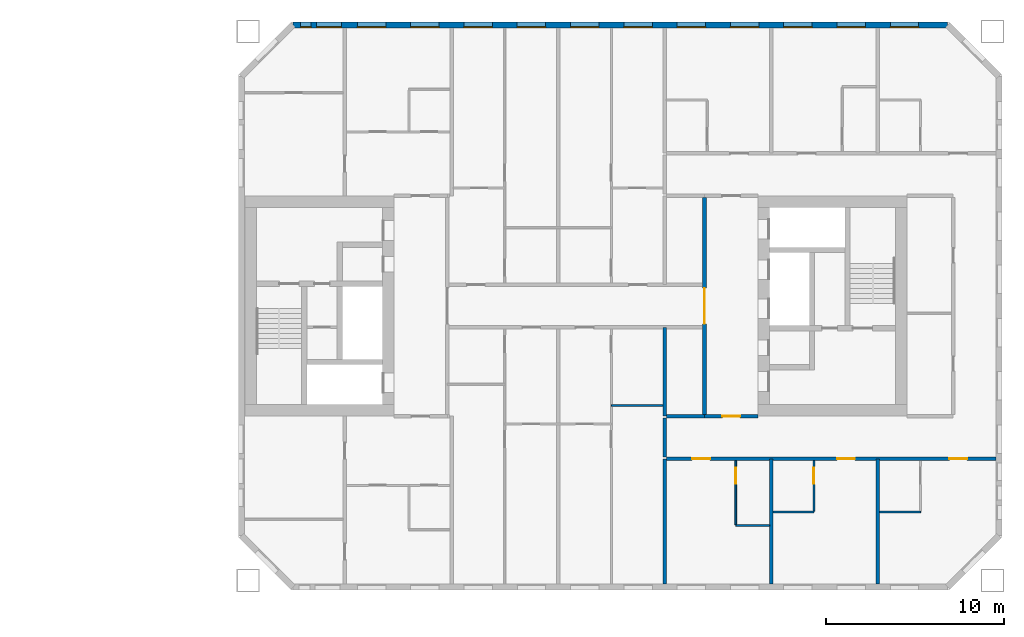
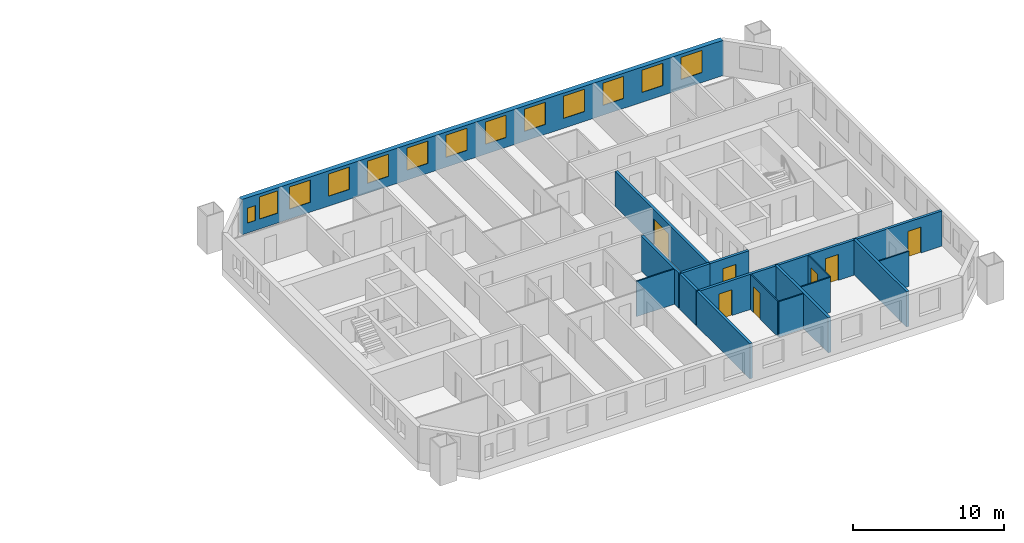
# One storey, part 12 of 16: 16 walls, 13 windows, 7 doors, 20 openings.
"""IFC4 building model written with IfcOpenShell, lengths in metres."""

import ifcopenshell
import ifcopenshell.guid

model = None  # the IFC model being written
_history = None  # IfcOwnerHistory: only IFC2X3 demands one
_inside = {}  # id of a spatial element -> (the spatial element, [elements in it])
_under = {}  # id of a project, library or spatial element -> (it, [spatial elements below it])
_declared = {}  # id of a project -> (the project, [libraries it declares])
_typed = {}  # id of a type object -> (the type object, [elements of that type])
_made_of = {}  # id of a material, layer set ... -> (it, [elements and type objects made of it])


def new_model(schema):
    """Start an empty IFC model of exactly this schema.

    Asked for "IFC4X3", IfcOpenShell would pick the latest addendum, in which some entities
    have other attributes; the version numbers below select the first issue.
    IFC2X3 requires an IfcOwnerHistory on every rooted entity: one is made here for all.
    """
    global model, _history
    if schema == "IFC4X3":
        model = ifcopenshell.file(schema_version=(4, 3, 0, 0))
    else:
        model = ifcopenshell.file(schema=schema)
    _inside.clear()
    _under.clear()
    _declared.clear()
    _typed.clear()
    _made_of.clear()
    _history = None
    if model.schema == "IFC2X3":
        org = make("IfcOrganization", Name="unknown")
        user = make(
            "IfcPersonAndOrganization",
            ThePerson=make("IfcPerson", FamilyName="unknown"),
            TheOrganization=org,
        )
        app = make(
            "IfcApplication",
            ApplicationDeveloper=org,
            Version="unknown",
            ApplicationFullName="unknown",
            ApplicationIdentifier="unknown",
        )
        _history = make(
            "IfcOwnerHistory",
            OwningUser=user,
            OwningApplication=app,
            ChangeAction="ADDED",
            CreationDate=0,
        )
    return model


def make(cls, **values):
    """One entity of the class cls with the attributes given. An attribute that is None is left unset."""
    return model.create_entity(
        cls, **{name: value for name, value in values.items() if value is not None}
    )


def rooted(cls, **values):
    """An entity with a GlobalId (a new one), such as an element, a storey or a relation."""
    return make(cls, GlobalId=ifcopenshell.guid.new(), OwnerHistory=_history, **values)


def si_unit(unit_type, name, prefix=None):
    """IfcSIUnit, for example si_unit("LENGTHUNIT", "METRE", prefix="MILLI")."""
    return make("IfcSIUnit", UnitType=unit_type, Prefix=prefix, Name=name)


def assignment(units):
    """IfcUnitAssignment: the units of a project."""
    return None if units is None else make("IfcUnitAssignment", Units=units)


def point(xyz):
    """IfcCartesianPoint."""
    return None if xyz is None else make("IfcCartesianPoint", Coordinates=xyz)


def direction(xyz):
    """IfcDirection."""
    return None if xyz is None else make("IfcDirection", DirectionRatios=xyz)


def frame(location, z_axis=None, x_axis=None):
    """IfcAxis2Placement3D, a coordinate frame: its origin and axes. An axis left out is left unset."""
    return make(
        "IfcAxis2Placement3D",
        Location=point(location),
        Axis=direction(z_axis),
        RefDirection=direction(x_axis),
    )


def frame_2d(location, x_axis=None):
    """IfcAxis2Placement2D, a coordinate frame in the plane: its origin and x axis."""
    return make(
        "IfcAxis2Placement2D", Location=point(location), RefDirection=direction(x_axis)
    )


def origin():
    """The frame at (0, 0, 0) with its axes left unset."""
    return frame((0.0, 0.0, 0.0))


def place(relative_to, where):
    """IfcLocalPlacement: puts the frame where relative to a parent placement (None: the world)."""
    return make(
        "IfcLocalPlacement", PlacementRelTo=relative_to, RelativePlacement=where
    )


def context(
    kind, dimensions, precision=None, world=None, true_north=None, identifier=None
):
    """IfcGeometricRepresentationContext, for example the 3D "Model" context."""
    return make(
        "IfcGeometricRepresentationContext",
        ContextIdentifier=identifier,
        ContextType=kind,
        CoordinateSpaceDimension=dimensions,
        Precision=precision,
        WorldCoordinateSystem=world,
        TrueNorth=true_north,
    )


def subcontext(parent, identifier, kind, view, scale=None):
    """IfcGeometricRepresentationSubContext, for example "Body" below "Model"."""
    return make(
        "IfcGeometricRepresentationSubContext",
        ContextIdentifier=identifier,
        ContextType=kind,
        ParentContext=parent,
        TargetScale=scale,
        TargetView=view,
    )


def project(units=None, contexts=None):
    """IfcProject with its units and contexts."""
    return rooted(
        "IfcProject",
        Name="project",
        RepresentationContexts=contexts,
        UnitsInContext=assignment(units),
    )


def spatial(cls, under=None, at=None, **own):
    """A site, building, storey or space (cls), placed at a placement, below another one or the project."""
    s = rooted(cls, ObjectPlacement=at, **own)
    if under is not None:
        _under.setdefault(under.id(), (under, []))[1].append(s)
    return s


def profile(cls, at=None, kind="AREA", **sizes):
    """A parametric profile (cls). Its sizes go by their IFC names, for example OverallWidth=200.0."""
    return make(cls, ProfileType=kind, Position=at, **sizes)


def rectangle(**sizes):
    """IfcRectangleProfileDef."""
    return profile("IfcRectangleProfileDef", **sizes)


def extrude(swept, where, along, depth):
    """IfcExtrudedAreaSolid: the profile swept, set in the frame where, extruded along a direction by depth."""
    return make(
        "IfcExtrudedAreaSolid",
        SweptArea=swept,
        Position=where,
        ExtrudedDirection=direction(along),
        Depth=depth,
    )


def shape(context_of_items, identifier, shape_type, items):
    """IfcShapeRepresentation: the items that make up one representation, for example the "Body"."""
    return make(
        "IfcShapeRepresentation",
        ContextOfItems=context_of_items,
        RepresentationIdentifier=identifier,
        RepresentationType=shape_type,
        Items=items,
    )


def material(Name=None, Category=None):
    """IfcMaterial."""
    return make("IfcMaterial", Name=Name, Category=Category)


def layer(
    of_material, thickness, ventilated=None, Name=None, Category=None, Priority=None
):
    """IfcMaterialLayer: one layer of a wall or slab, of a material (None: an air gap)."""
    return make(
        "IfcMaterialLayer",
        Material=of_material,
        LayerThickness=thickness,
        IsVentilated=ventilated,
        Name=Name,
        Category=Category,
        Priority=Priority,
    )


def layer_set(layers, Name=None):
    """IfcMaterialLayerSet."""
    return make("IfcMaterialLayerSet", MaterialLayers=layers, LayerSetName=Name)


def made_of(thing, what):
    """Note that an element or type object is made of a material, layer set ...; save() writes the relation."""
    if what is not None:
        _made_of.setdefault(what.id(), (what, []))[1].append(thing)
    return thing


def type_object(cls, material=None, **own):
    """A type object (cls), such as IfcWallType, which elements share."""
    return made_of(rooted(cls, **own), material)


def element(
    cls,
    number,
    at=None,
    inside=None,
    cuts=None,
    type_object=None,
    material=None,
    context=None,
    identifier="Body",
    shape_type=None,
    held_by="IfcProductDefinitionShape",
    body=None,
    shapes=None,
    **own,
):
    """One element of the class cls, such as IfcWall. Its Tag is "e" and its number.

    at: its placement. inside: the storey or other place that contains it. cuts: it is an
    opening in that element (IfcRelVoidsElement). A single representation is given by context,
    identifier, shape_type and body (its items); several are given by shapes. held_by: the class
    of the entity that holds the representations. save() writes the other relations.
    """
    e = rooted(cls, Tag="e%d" % number, ObjectPlacement=at, **own)
    if body is not None:
        shapes = [shape(context, identifier, shape_type, body)]
    if shapes is not None:
        e.Representation = make(held_by, Representations=shapes)
    if inside is not None:
        _inside.setdefault(inside.id(), (inside, []))[1].append(e)
    if cuts is not None:
        rooted(
            "IfcRelVoidsElement", RelatingBuildingElement=cuts, RelatedOpeningElement=e
        )
    if type_object is not None:
        _typed.setdefault(type_object.id(), (type_object, []))[1].append(e)
    return made_of(e, material)


def fill(opening, filler):
    """IfcRelFillsElement: the door or window that sits in an opening."""
    return rooted(
        "IfcRelFillsElement",
        RelatingOpeningElement=opening,
        RelatedBuildingElement=filler,
    )


def aggregate(whole, parts):
    """IfcRelAggregates: a whole, such as a stair, and the parts it consists of."""
    return rooted("IfcRelAggregates", RelatingObject=whole, RelatedObjects=parts)


def save(model, path):
    """Write the relations noted so far, then the file.

    IfcRelAggregates (storeys below a building ...), IfcRelContainedInSpatialStructure (elements
    in a storey), IfcRelDefinesByType, IfcRelAssociatesMaterial and IfcRelDeclares: one each for
    every whole, place, type object, material and project.
    """
    for whole, parts in _under.values():
        aggregate(whole, parts)
    for where, things in _inside.values():
        rooted(
            "IfcRelContainedInSpatialStructure",
            RelatedElements=things,
            RelatingStructure=where,
        )
    for kind, things in _typed.values():
        rooted("IfcRelDefinesByType", RelatedObjects=things, RelatingType=kind)
    for what, things in _made_of.values():
        rooted("IfcRelAssociatesMaterial", RelatedObjects=things, RelatingMaterial=what)
    for by, libraries in _declared.values():
        rooted("IfcRelDeclares", RelatingContext=by, RelatedDefinitions=libraries)
    model.write(path)


model = new_model("IFC4")

# Units and contexts
model_context = context("Model", 3, precision=1e-05, world=origin(), true_north=direction((0.0, 1.0)))
body_context = subcontext(model_context, "Body", "Model", "MODEL_VIEW")
ifc_project = project(units=[si_unit("LENGTHUNIT", "METRE"), si_unit("AREAUNIT", "SQUARE_METRE"), si_unit("VOLUMEUNIT", "CUBIC_METRE"), si_unit("PLANEANGLEUNIT", "RADIAN"), si_unit("MASSUNIT", "GRAM", prefix="KILO")], contexts=[model_context])

# Site, building, storey
site_placement = place(None, origin())
site = spatial("IfcSite", under=ifc_project, at=site_placement, CompositionType="ELEMENT")
building_placement = place(site_placement, origin())
building = spatial("IfcBuilding", under=site, at=building_placement, Name="Tuart Gate Housing", CompositionType="ELEMENT")
storey_placement = place(building_placement, frame((0.0, 0.0, 96.39990234375)))
storey = spatial("IfcBuildingStorey", under=building, at=storey_placement, Name="L26", CompositionType="ELEMENT", Elevation=96.39990234375)

# Wall, openings, windows
ifc_material_1 = material(Name="Brick", Category="masonry")
ifc_layer_1 = layer(ifc_material_1, 0.360107421875)
ifc_layer_set_1 = layer_set([ifc_layer_1], Name="Brick pier and spandrel wall 360")
wall_type_1 = type_object("IfcWallType", Name="Brick pier and spandrel wall 360", PredefinedType="STANDARD", material=ifc_layer_set_1)
wall_1_placement = place(storey_placement, frame((170.92529296875, 85.820068359375, 0.0), z_axis=(0.0, 0.0, 1.0), x_axis=(-1.0, 0.0, 0.0)))
wall_1 = element("IfcWall", 1, at=wall_1_placement, inside=storey, type_object=wall_type_1, Name="External wall B-N L26", PredefinedType="STANDARD", context=body_context, shape_type="SweptSolid", body=[
    extrude(rectangle(XDim=36.850830078125, YDim=0.360107421875, at=frame_2d((18.42529296875, 0.0))), origin(), (0.0, 0.0, 1.0), 2.85009765625),
])
opening_1_placement = place(wall_1_placement, frame((1.62548828125, 0.0, 0.800048828125)))
opening_1 = element("IfcOpeningElement", 2, at=opening_1_placement, cuts=wall_1, Name="Opening W1", PredefinedType="OPENING", context=body_context, shape_type="SweptSolid", body=[
    extrude(rectangle(XDim=1.60009765625, YDim=1.800048828125, at=frame_2d((0.800048828125, 0.89990234375))), frame((0.0, 0.18994140625, 0.0), z_axis=(0.0, -1.0, 0.0), x_axis=(1.0, 0.0, 0.0)), (0.0, 0.0, 1.0), 0.380126953125),
])
opening_2_placement = place(wall_1_placement, frame((4.62548828125, 0.0, 0.800048828125)))
opening_2 = element("IfcOpeningElement", 3, at=opening_2_placement, cuts=wall_1, Name="Opening W1", PredefinedType="OPENING", context=body_context, shape_type="SweptSolid", body=[
    extrude(rectangle(XDim=1.60009765625, YDim=1.800048828125, at=frame_2d((0.800048828125, 0.89990234375))), frame((0.0, 0.18994140625, 0.0), z_axis=(0.0, -1.0, 0.0), x_axis=(1.0, 0.0, 0.0)), (0.0, 0.0, 1.0), 0.380126953125),
])
opening_3_placement = place(wall_1_placement, frame((7.62548828125, 0.0, 0.800048828125)))
opening_3 = element("IfcOpeningElement", 4, at=opening_3_placement, cuts=wall_1, Name="Opening W1", PredefinedType="OPENING", context=body_context, shape_type="SweptSolid", body=[
    extrude(rectangle(XDim=1.60009765625, YDim=1.800048828125, at=frame_2d((0.800048828125, 0.89990234375))), frame((0.0, 0.18994140625, 0.0), z_axis=(0.0, -1.0, 0.0), x_axis=(1.0, 0.0, 0.0)), (0.0, 0.0, 1.0), 0.380126953125),
])
opening_4_placement = place(wall_1_placement, frame((10.62548828125, 0.0, 0.800048828125)))
opening_4 = element("IfcOpeningElement", 5, at=opening_4_placement, cuts=wall_1, Name="Opening W1", PredefinedType="OPENING", context=body_context, shape_type="SweptSolid", body=[
    extrude(rectangle(XDim=1.60009765625, YDim=1.800048828125, at=frame_2d((0.800048828125, 0.89990234375))), frame((0.0, 0.18994140625, 0.0), z_axis=(0.0, -1.0, 0.0), x_axis=(1.0, 0.0, 0.0)), (0.0, 0.0, 1.0), 0.380126953125),
])
opening_5_placement = place(wall_1_placement, frame((13.62548828125, 0.0, 0.800048828125)))
opening_5 = element("IfcOpeningElement", 6, at=opening_5_placement, cuts=wall_1, Name="Opening W1", PredefinedType="OPENING", context=body_context, shape_type="SweptSolid", body=[
    extrude(rectangle(XDim=1.60009765625, YDim=1.800048828125, at=frame_2d((0.800048828125, 0.89990234375))), frame((0.0, 0.18994140625, 0.0), z_axis=(0.0, -1.0, 0.0), x_axis=(1.0, 0.0, 0.0)), (0.0, 0.0, 1.0), 0.380126953125),
])
opening_6_placement = place(wall_1_placement, frame((16.62548828125, 0.0, 0.800048828125)))
opening_6 = element("IfcOpeningElement", 7, at=opening_6_placement, cuts=wall_1, Name="Opening W1", PredefinedType="OPENING", context=body_context, shape_type="SweptSolid", body=[
    extrude(rectangle(XDim=1.60009765625, YDim=1.800048828125, at=frame_2d((0.800048828125, 0.89990234375))), frame((0.0, 0.18994140625, 0.0), z_axis=(0.0, -1.0, 0.0), x_axis=(1.0, 0.0, 0.0)), (0.0, 0.0, 1.0), 0.380126953125),
])
opening_7_placement = place(wall_1_placement, frame((19.62548828125, 0.0, 0.800048828125)))
opening_7 = element("IfcOpeningElement", 8, at=opening_7_placement, cuts=wall_1, Name="Opening W1", PredefinedType="OPENING", context=body_context, shape_type="SweptSolid", body=[
    extrude(rectangle(XDim=1.60009765625, YDim=1.800048828125, at=frame_2d((0.800048828125, 0.89990234375))), frame((0.0, 0.18994140625, 0.0), z_axis=(0.0, -1.0, 0.0), x_axis=(1.0, 0.0, 0.0)), (0.0, 0.0, 1.0), 0.380126953125),
])
opening_8_placement = place(wall_1_placement, frame((22.62548828125, 0.0, 0.800048828125)))
opening_8 = element("IfcOpeningElement", 9, at=opening_8_placement, cuts=wall_1, Name="Opening W1", PredefinedType="OPENING", context=body_context, shape_type="SweptSolid", body=[
    extrude(rectangle(XDim=1.60009765625, YDim=1.800048828125, at=frame_2d((0.800048828125, 0.89990234375))), frame((0.0, 0.18994140625, 0.0), z_axis=(0.0, -1.0, 0.0), x_axis=(1.0, 0.0, 0.0)), (0.0, 0.0, 1.0), 0.380126953125),
])
opening_9_placement = place(wall_1_placement, frame((25.62548828125, 0.0, 0.800048828125)))
opening_9 = element("IfcOpeningElement", 10, at=opening_9_placement, cuts=wall_1, Name="Opening W1", PredefinedType="OPENING", context=body_context, shape_type="SweptSolid", body=[
    extrude(rectangle(XDim=1.60009765625, YDim=1.800048828125, at=frame_2d((0.800048828125, 0.89990234375))), frame((0.0, 0.18994140625, 0.0), z_axis=(0.0, -1.0, 0.0), x_axis=(1.0, 0.0, 0.0)), (0.0, 0.0, 1.0), 0.380126953125),
])
opening_10_placement = place(wall_1_placement, frame((28.62548828125, 0.0, 0.800048828125)))
opening_10 = element("IfcOpeningElement", 11, at=opening_10_placement, cuts=wall_1, Name="Opening W1", PredefinedType="OPENING", context=body_context, shape_type="SweptSolid", body=[
    extrude(rectangle(XDim=1.60009765625, YDim=1.800048828125, at=frame_2d((0.800048828125, 0.89990234375))), frame((0.0, 0.18994140625, 0.0), z_axis=(0.0, -1.0, 0.0), x_axis=(1.0, 0.0, 0.0)), (0.0, 0.0, 1.0), 0.380126953125),
])
opening_11_placement = place(wall_1_placement, frame((31.62548828125, 0.0, 0.800048828125)))
opening_11 = element("IfcOpeningElement", 12, at=opening_11_placement, cuts=wall_1, Name="Opening W1", PredefinedType="OPENING", context=body_context, shape_type="SweptSolid", body=[
    extrude(rectangle(XDim=1.60009765625, YDim=1.800048828125, at=frame_2d((0.800048828125, 0.89990234375))), frame((0.0, 0.18994140625, 0.0), z_axis=(0.0, -1.0, 0.0), x_axis=(1.0, 0.0, 0.0)), (0.0, 0.0, 1.0), 0.380126953125),
])
opening_12_placement = place(wall_1_placement, frame((34.12548828125, 0.0, 0.800048828125)))
opening_12 = element("IfcOpeningElement", 13, at=opening_12_placement, cuts=wall_1, Name="Opening W1A", PredefinedType="OPENING", context=body_context, shape_type="SweptSolid", body=[
    extrude(rectangle(XDim=1.39990234375, YDim=1.800048828125, at=frame_2d((0.699951171875, 0.89990234375))), frame((0.0, 0.18994140625, 0.0), z_axis=(0.0, -1.0, 0.0), x_axis=(1.0, 0.0, 0.0)), (0.0, 0.0, 1.0), 0.380126953125),
])
opening_13_placement = place(wall_1_placement, frame((35.825439453125, 0.0, 0.800048828125)))
opening_13 = element("IfcOpeningElement", 14, at=opening_13_placement, cuts=wall_1, Name="Opening W1Q", PredefinedType="OPENING", context=body_context, shape_type="SweptSolid", body=[
    extrude(rectangle(XDim=0.60009765625, YDim=1.199951171875, at=frame_2d((0.300048828125, 0.60009765625))), frame((0.0, 0.18994140625, 0.0), z_axis=(0.0, -1.0, 0.0), x_axis=(1.0, 0.0, 0.0)), (0.0, 0.0, 1.0), 0.380126953125),
])
ifc_material_2 = material(Name="Aluminium frame with clear glass", Category="aluminium")
window_type_1 = type_object("IfcWindowType", Name="Punched window 1400 x 1800", PartitioningType="SINGLE_PANEL", PredefinedType="WINDOW", material=ifc_material_2)
window_1_placement = place(opening_12_placement, origin())
window_1 = element("IfcWindow", 15, at=window_1_placement, inside=storey, type_object=window_type_1, Name="Window W1A", OverallHeight=1.800048828125, OverallWidth=1.39990234375, PartitioningType="SINGLE_PANEL", PredefinedType="WINDOW", context=body_context, shape_type="SweptSolid", body=[
    extrude(rectangle(XDim=1.39990234375, YDim=1.800048828125, at=frame_2d((0.699951171875, 0.89990234375))), frame((0.0, 0.150146484375, 0.0), z_axis=(0.0, -1.0, 0.0), x_axis=(1.0, 0.0, 0.0)), (0.0, 0.0, 1.0), 0.06005859375),
])
fill(opening_12, window_1)
ifc_material_3 = material(Name="Aluminium frame with clear glass", Category="aluminium")
window_type_2 = type_object("IfcWindowType", Name="Punched window 1600 x 1800", PartitioningType="SINGLE_PANEL", PredefinedType="WINDOW", material=ifc_material_3)
window_2_placement = place(opening_1_placement, origin())
window_2 = element("IfcWindow", 16, at=window_2_placement, inside=storey, type_object=window_type_2, Name="Window W1", OverallHeight=1.800048828125, OverallWidth=1.60009765625, PartitioningType="SINGLE_PANEL", PredefinedType="WINDOW", context=body_context, shape_type="SweptSolid", body=[
    extrude(rectangle(XDim=1.60009765625, YDim=1.800048828125, at=frame_2d((0.800048828125, 0.89990234375))), frame((0.0, 0.150146484375, 0.0), z_axis=(0.0, -1.0, 0.0), x_axis=(1.0, 0.0, 0.0)), (0.0, 0.0, 1.0), 0.06005859375),
])
fill(opening_1, window_2)
window_3_placement = place(opening_2_placement, origin())
window_3 = element("IfcWindow", 17, at=window_3_placement, inside=storey, type_object=window_type_2, Name="Window W1", OverallHeight=1.800048828125, OverallWidth=1.60009765625, PartitioningType="SINGLE_PANEL", PredefinedType="WINDOW", context=body_context, shape_type="SweptSolid", body=[
    extrude(rectangle(XDim=1.60009765625, YDim=1.800048828125, at=frame_2d((0.800048828125, 0.89990234375))), frame((0.0, 0.150146484375, 0.0), z_axis=(0.0, -1.0, 0.0), x_axis=(1.0, 0.0, 0.0)), (0.0, 0.0, 1.0), 0.06005859375),
])
fill(opening_2, window_3)
window_4_placement = place(opening_3_placement, origin())
window_4 = element("IfcWindow", 18, at=window_4_placement, inside=storey, type_object=window_type_2, Name="Window W1", OverallHeight=1.800048828125, OverallWidth=1.60009765625, PartitioningType="SINGLE_PANEL", PredefinedType="WINDOW", context=body_context, shape_type="SweptSolid", body=[
    extrude(rectangle(XDim=1.60009765625, YDim=1.800048828125, at=frame_2d((0.800048828125, 0.89990234375))), frame((0.0, 0.150146484375, 0.0), z_axis=(0.0, -1.0, 0.0), x_axis=(1.0, 0.0, 0.0)), (0.0, 0.0, 1.0), 0.06005859375),
])
fill(opening_3, window_4)
window_5_placement = place(opening_4_placement, origin())
window_5 = element("IfcWindow", 19, at=window_5_placement, inside=storey, type_object=window_type_2, Name="Window W1", OverallHeight=1.800048828125, OverallWidth=1.60009765625, PartitioningType="SINGLE_PANEL", PredefinedType="WINDOW", context=body_context, shape_type="SweptSolid", body=[
    extrude(rectangle(XDim=1.60009765625, YDim=1.800048828125, at=frame_2d((0.800048828125, 0.89990234375))), frame((0.0, 0.150146484375, 0.0), z_axis=(0.0, -1.0, 0.0), x_axis=(1.0, 0.0, 0.0)), (0.0, 0.0, 1.0), 0.06005859375),
])
fill(opening_4, window_5)
window_6_placement = place(opening_5_placement, origin())
window_6 = element("IfcWindow", 20, at=window_6_placement, inside=storey, type_object=window_type_2, Name="Window W1", OverallHeight=1.800048828125, OverallWidth=1.60009765625, PartitioningType="SINGLE_PANEL", PredefinedType="WINDOW", context=body_context, shape_type="SweptSolid", body=[
    extrude(rectangle(XDim=1.60009765625, YDim=1.800048828125, at=frame_2d((0.800048828125, 0.89990234375))), frame((0.0, 0.150146484375, 0.0), z_axis=(0.0, -1.0, 0.0), x_axis=(1.0, 0.0, 0.0)), (0.0, 0.0, 1.0), 0.06005859375),
])
fill(opening_5, window_6)
window_7_placement = place(opening_6_placement, origin())
window_7 = element("IfcWindow", 21, at=window_7_placement, inside=storey, type_object=window_type_2, Name="Window W1", OverallHeight=1.800048828125, OverallWidth=1.60009765625, PartitioningType="SINGLE_PANEL", PredefinedType="WINDOW", context=body_context, shape_type="SweptSolid", body=[
    extrude(rectangle(XDim=1.60009765625, YDim=1.800048828125, at=frame_2d((0.800048828125, 0.89990234375))), frame((0.0, 0.150146484375, 0.0), z_axis=(0.0, -1.0, 0.0), x_axis=(1.0, 0.0, 0.0)), (0.0, 0.0, 1.0), 0.06005859375),
])
fill(opening_6, window_7)
window_8_placement = place(opening_7_placement, origin())
window_8 = element("IfcWindow", 22, at=window_8_placement, inside=storey, type_object=window_type_2, Name="Window W1", OverallHeight=1.800048828125, OverallWidth=1.60009765625, PartitioningType="SINGLE_PANEL", PredefinedType="WINDOW", context=body_context, shape_type="SweptSolid", body=[
    extrude(rectangle(XDim=1.60009765625, YDim=1.800048828125, at=frame_2d((0.800048828125, 0.89990234375))), frame((0.0, 0.150146484375, 0.0), z_axis=(0.0, -1.0, 0.0), x_axis=(1.0, 0.0, 0.0)), (0.0, 0.0, 1.0), 0.06005859375),
])
fill(opening_7, window_8)
window_9_placement = place(opening_8_placement, origin())
window_9 = element("IfcWindow", 23, at=window_9_placement, inside=storey, type_object=window_type_2, Name="Window W1", OverallHeight=1.800048828125, OverallWidth=1.60009765625, PartitioningType="SINGLE_PANEL", PredefinedType="WINDOW", context=body_context, shape_type="SweptSolid", body=[
    extrude(rectangle(XDim=1.60009765625, YDim=1.800048828125, at=frame_2d((0.800048828125, 0.89990234375))), frame((0.0, 0.150146484375, 0.0), z_axis=(0.0, -1.0, 0.0), x_axis=(1.0, 0.0, 0.0)), (0.0, 0.0, 1.0), 0.06005859375),
])
fill(opening_8, window_9)
window_10_placement = place(opening_9_placement, origin())
window_10 = element("IfcWindow", 24, at=window_10_placement, inside=storey, type_object=window_type_2, Name="Window W1", OverallHeight=1.800048828125, OverallWidth=1.60009765625, PartitioningType="SINGLE_PANEL", PredefinedType="WINDOW", context=body_context, shape_type="SweptSolid", body=[
    extrude(rectangle(XDim=1.60009765625, YDim=1.800048828125, at=frame_2d((0.800048828125, 0.89990234375))), frame((0.0, 0.150146484375, 0.0), z_axis=(0.0, -1.0, 0.0), x_axis=(1.0, 0.0, 0.0)), (0.0, 0.0, 1.0), 0.06005859375),
])
fill(opening_9, window_10)
window_11_placement = place(opening_10_placement, origin())
window_11 = element("IfcWindow", 25, at=window_11_placement, inside=storey, type_object=window_type_2, Name="Window W1", OverallHeight=1.800048828125, OverallWidth=1.60009765625, PartitioningType="SINGLE_PANEL", PredefinedType="WINDOW", context=body_context, shape_type="SweptSolid", body=[
    extrude(rectangle(XDim=1.60009765625, YDim=1.800048828125, at=frame_2d((0.800048828125, 0.89990234375))), frame((0.0, 0.150146484375, 0.0), z_axis=(0.0, -1.0, 0.0), x_axis=(1.0, 0.0, 0.0)), (0.0, 0.0, 1.0), 0.06005859375),
])
fill(opening_10, window_11)
window_12_placement = place(opening_11_placement, origin())
window_12 = element("IfcWindow", 26, at=window_12_placement, inside=storey, type_object=window_type_2, Name="Window W1", OverallHeight=1.800048828125, OverallWidth=1.60009765625, PartitioningType="SINGLE_PANEL", PredefinedType="WINDOW", context=body_context, shape_type="SweptSolid", body=[
    extrude(rectangle(XDim=1.60009765625, YDim=1.800048828125, at=frame_2d((0.800048828125, 0.89990234375))), frame((0.0, 0.150146484375, 0.0), z_axis=(0.0, -1.0, 0.0), x_axis=(1.0, 0.0, 0.0)), (0.0, 0.0, 1.0), 0.06005859375),
])
fill(opening_11, window_12)
ifc_material_4 = material(Name="Aluminium frame with clear glass", Category="aluminium")
window_type_3 = type_object("IfcWindowType", Name="Punched window 600 x 1200", PartitioningType="SINGLE_PANEL", PredefinedType="WINDOW", material=ifc_material_4)
window_13_placement = place(opening_13_placement, origin())
window_13 = element("IfcWindow", 27, at=window_13_placement, inside=storey, type_object=window_type_3, Name="Window W1Q", OverallHeight=1.199951171875, OverallWidth=0.60009765625, PartitioningType="SINGLE_PANEL", PredefinedType="WINDOW", context=body_context, shape_type="SweptSolid", body=[
    extrude(rectangle(XDim=0.60009765625, YDim=1.199951171875, at=frame_2d((0.300048828125, 0.60009765625))), frame((0.0, 0.150146484375, 0.0), z_axis=(0.0, -1.0, 0.0), x_axis=(1.0, 0.0, 0.0)), (0.0, 0.0, 1.0), 0.06005859375),
])
fill(opening_13, window_13)

# Wall, openings, doors
ifc_material_5 = material(Name="Concrete masonry 15 MPa", Category="masonry")
ifc_layer_2 = layer(ifc_material_5, 0.199951171875)
ifc_layer_set_2 = layer_set([ifc_layer_2], Name="Corridor wall masonry 200")
wall_type_2 = type_object("IfcWallType", Name="Corridor wall masonry 200", PredefinedType="PARTITIONING", material=ifc_layer_set_2)
wall_2_placement = place(storey_placement, frame((155.10009765625, 61.39990234375, 0.0), z_axis=(0.0, 0.0, 1.0), x_axis=(1.0, 0.0, 0.0)))
wall_2 = element("IfcWall", 28, at=wall_2_placement, inside=storey, type_object=wall_type_2, Name="Corridor wall masonry 200", PredefinedType="PARTITIONING", context=body_context, shape_type="SweptSolid", body=[
    extrude(rectangle(XDim=18.539794921875, YDim=0.199951171875, at=frame_2d((9.27001953125, 0.0))), origin(), (0.0, 0.0, 1.0), 2.85009765625),
])
opening_14_placement = place(wall_2_placement, frame((1.449951171875, 0.0, 0.0)))
opening_14 = element("IfcOpeningElement", 29, at=opening_14_placement, cuts=wall_2, Name="Opening D1168", PredefinedType="OPENING", context=body_context, shape_type="SweptSolid", body=[
    extrude(rectangle(XDim=1.0, YDim=2.10009765625, at=frame_2d((0.5, 1.050048828125))), frame((0.0, 0.10986328125, 0.0), z_axis=(0.0, -1.0, 0.0), x_axis=(1.0, 0.0, 0.0)), (0.0, 0.0, 1.0), 0.219970703125),
])
opening_15_placement = place(wall_2_placement, frame((9.60009765625, 0.0, 0.0)))
opening_15 = element("IfcOpeningElement", 30, at=opening_15_placement, cuts=wall_2, Name="Opening D1169", PredefinedType="OPENING", context=body_context, shape_type="SweptSolid", body=[
    extrude(rectangle(XDim=1.0, YDim=2.10009765625, at=frame_2d((0.5, 1.050048828125))), frame((0.0, 0.10986328125, 0.0), z_axis=(0.0, -1.0, 0.0), x_axis=(1.0, 0.0, 0.0)), (0.0, 0.0, 1.0), 0.219970703125),
])
opening_16_placement = place(wall_2_placement, frame((15.919921875, 0.0, 0.0)))
opening_16 = element("IfcOpeningElement", 31, at=opening_16_placement, cuts=wall_2, Name="Opening D1170", PredefinedType="OPENING", context=body_context, shape_type="SweptSolid", body=[
    extrude(rectangle(XDim=1.0, YDim=2.10009765625, at=frame_2d((0.5, 1.050048828125))), frame((0.0, 0.10986328125, 0.0), z_axis=(0.0, -1.0, 0.0), x_axis=(1.0, 0.0, 0.0)), (0.0, 0.0, 1.0), 0.219970703125),
])
ifc_material_6 = material(Name="Timber door leaf in steel frame", Category="steel")
door_type_1 = type_object("IfcDoorType", Name="Flat entrance door 1000", OperationType="SINGLE_SWING_LEFT", PredefinedType="DOOR", material=ifc_material_6)
door_1_placement = place(opening_14_placement, frame((1.0, 0.0, 0.0), z_axis=(0.0, 0.0, 1.0), x_axis=(-1.0, 0.0, 0.0)))
door_1 = element("IfcDoor", 32, at=door_1_placement, inside=storey, type_object=door_type_1, Name="Flat entrance door", OperationType="SINGLE_SWING_LEFT", OverallHeight=2.10009765625, OverallWidth=1.0, PredefinedType="DOOR", context=body_context, shape_type="SweptSolid", body=[
    extrude(rectangle(XDim=1.0, YDim=2.10009765625, at=frame_2d((0.5, 1.050048828125))), frame((0.0, 0.025146484375, 0.0), z_axis=(0.0, -1.0, 0.0), x_axis=(1.0, 0.0, 0.0)), (0.0, 0.0, 1.0), 0.050048828125),
])
fill(opening_14, door_1)
ifc_material_7 = material(Name="Timber door leaf in steel frame", Category="steel")
door_type_2 = type_object("IfcDoorType", Name="Flat entrance door 1000 RH", OperationType="SINGLE_SWING_RIGHT", PredefinedType="DOOR", material=ifc_material_7)
door_2_placement = place(opening_15_placement, frame((1.0, 0.0, 0.0), z_axis=(0.0, 0.0, 1.0), x_axis=(-1.0, 0.0, 0.0)))
door_2 = element("IfcDoor", 33, at=door_2_placement, inside=storey, type_object=door_type_2, Name="Flat entrance door", OperationType="SINGLE_SWING_RIGHT", OverallHeight=2.10009765625, OverallWidth=1.0, PredefinedType="DOOR", context=body_context, shape_type="SweptSolid", body=[
    extrude(rectangle(XDim=1.0, YDim=2.10009765625, at=frame_2d((0.5, 1.050048828125))), frame((0.0, 0.025146484375, 0.0), z_axis=(0.0, -1.0, 0.0), x_axis=(1.0, 0.0, 0.0)), (0.0, 0.0, 1.0), 0.050048828125),
])
fill(opening_15, door_2)
door_3_placement = place(opening_16_placement, frame((1.0, 0.0, 0.0), z_axis=(0.0, 0.0, 1.0), x_axis=(-1.0, 0.0, 0.0)))
door_3 = element("IfcDoor", 34, at=door_3_placement, inside=storey, type_object=door_type_2, Name="Flat entrance door", OperationType="SINGLE_SWING_RIGHT", OverallHeight=2.10009765625, OverallWidth=1.0, PredefinedType="DOOR", context=body_context, shape_type="SweptSolid", body=[
    extrude(rectangle(XDim=1.0, YDim=2.10009765625, at=frame_2d((0.5, 1.050048828125))), frame((0.0, 0.025146484375, 0.0), z_axis=(0.0, -1.0, 0.0), x_axis=(1.0, 0.0, 0.0)), (0.0, 0.0, 1.0), 0.050048828125),
])
fill(opening_16, door_3)

# Walls
wall_3_placement = place(storey_placement, frame((155.10009765625, 63.800048828125, 0.0), z_axis=(0.0, 0.0, 1.0), x_axis=(1.0, 0.0, 0.0)))
element("IfcWall", 35, at=wall_3_placement, inside=storey, type_object=wall_type_2, Name="Corridor wall masonry 200", PredefinedType="PARTITIONING", context=body_context, shape_type="SweptSolid", body=[
    extrude(rectangle(XDim=2.139892578125, YDim=0.199951171875, at=frame_2d((1.06982421875, 0.0))), origin(), (0.0, 0.0, 1.0), 2.85009765625),
])
wall_4_placement = place(storey_placement, frame((155.0, 61.5, 0.0), z_axis=(0.0, 0.0, 1.0), x_axis=(0.0, 1.0, 0.0)))
element("IfcWall", 36, at=wall_4_placement, inside=storey, type_object=wall_type_2, Name="Corridor wall masonry 200", PredefinedType="PARTITIONING", context=body_context, shape_type="SweptSolid", body=[
    extrude(rectangle(XDim=2.199951171875, YDim=0.199951171875, at=frame_2d((1.10009765625, 0.0))), origin(), (0.0, 0.0, 1.0), 2.85009765625),
])

# Wall, opening, door
ifc_material_8 = material(Name="Concrete masonry 15 MPa", Category="masonry")
ifc_layer_3 = layer(ifc_material_8, 0.199951171875)
ifc_layer_set_3 = layer_set([ifc_layer_3], Name="Enclosure wall masonry 200")
wall_type_3 = type_object("IfcWallType", Name="Enclosure wall masonry 200", PredefinedType="PARTITIONING", material=ifc_layer_set_3)
wall_5_placement = place(storey_placement, frame((157.239990234375, 63.800048828125, 0.0), z_axis=(0.0, 0.0, 1.0), x_axis=(1.0, 0.0, 0.0)))
wall_5 = element("IfcWall", 37, at=wall_5_placement, inside=storey, type_object=wall_type_3, Name="Enclosure wall masonry 200", PredefinedType="PARTITIONING", context=body_context, shape_type="SweptSolid", body=[
    extrude(rectangle(XDim=3.0, YDim=0.199951171875, at=frame_2d((1.5, 0.0))), origin(), (0.0, 0.0, 1.0), 2.85009765625),
])
opening_17_placement = place(wall_5_placement, frame((1.0, 0.0, 0.0)))
opening_17 = element("IfcOpeningElement", 38, at=opening_17_placement, cuts=wall_5, Name="Opening D1161", PredefinedType="OPENING", context=body_context, shape_type="SweptSolid", body=[
    extrude(rectangle(XDim=1.0, YDim=2.10009765625, at=frame_2d((0.5, 1.050048828125))), frame((0.0, 0.10986328125, 0.0), z_axis=(0.0, -1.0, 0.0), x_axis=(1.0, 0.0, 0.0)), (0.0, 0.0, 1.0), 0.219970703125),
])
ifc_material_9 = material(Name="Timber door leaf in steel frame", Category="steel")
door_type_3 = type_object("IfcDoorType", Name="Fire door 1000 RH", OperationType="SINGLE_SWING_RIGHT", PredefinedType="DOOR", material=ifc_material_9)
door_4_placement = place(opening_17_placement, frame((1.0, 0.0, 0.0), z_axis=(0.0, 0.0, 1.0), x_axis=(-1.0, 0.0, 0.0)))
door_4 = element("IfcDoor", 39, at=door_4_placement, inside=storey, type_object=door_type_3, Name="Fire door", OperationType="SINGLE_SWING_RIGHT", OverallHeight=2.10009765625, OverallWidth=1.0, PredefinedType="DOOR", context=body_context, shape_type="SweptSolid", body=[
    extrude(rectangle(XDim=1.0, YDim=2.10009765625, at=frame_2d((0.5, 1.050048828125))), frame((0.0, 0.025146484375, 0.0), z_axis=(0.0, -1.0, 0.0), x_axis=(1.0, 0.0, 0.0)), (0.0, 0.0, 1.0), 0.050048828125),
])
fill(opening_17, door_4)

ifc_material_10 = material(Name="Plasterboard partition")
ifc_layer_4 = layer(ifc_material_10, 0.199951171875)
ifc_layer_set_4 = layer_set([ifc_layer_4], Name="Lobby wall 200")
wall_type_4 = type_object("IfcWallType", Name="Lobby wall 200", PredefinedType="PARTITIONING", material=ifc_layer_set_4)
wall_6_placement = place(storey_placement, frame((157.239990234375, 63.89990234375, 0.0), z_axis=(0.0, 0.0, 1.0), x_axis=(0.0, 1.0, 0.0)))
wall_6 = element("IfcWall", 40, at=wall_6_placement, inside=storey, type_object=wall_type_4, Name="Lift lobby wall BK", PredefinedType="PARTITIONING", context=body_context, shape_type="SweptSolid", body=[
    extrude(rectangle(XDim=12.2001953125, YDim=0.199951171875, at=frame_2d((6.10009765625, 0.0))), origin(), (0.0, 0.0, 1.0), 2.85009765625),
])
opening_18_placement = place(wall_6_placement, frame((5.10009765625, 0.0, 0.0)))
opening_18 = element("IfcOpeningElement", 41, at=opening_18_placement, cuts=wall_6, Name="Opening D1150", PredefinedType="OPENING", context=body_context, shape_type="SweptSolid", body=[
    extrude(rectangle(XDim=2.0, YDim=2.10009765625, at=frame_2d((1.0, 1.050048828125))), frame((0.0, 0.10986328125, 0.0), z_axis=(0.0, -1.0, 0.0), x_axis=(1.0, 0.0, 0.0)), (0.0, 0.0, 1.0), 0.219970703125),
])
ifc_material_11 = material(Name="Steel fire door", Category="steel")
door_type_4 = type_object("IfcDoorType", Name="Smoke door 2000 x 2100", OperationType="DOUBLE_DOOR_SINGLE_SWING", PredefinedType="DOOR", material=ifc_material_11)
door_5_placement = place(opening_18_placement, frame((2.0, 0.0, 0.0), z_axis=(0.0, 0.0, 1.0), x_axis=(-1.0, 0.0, 0.0)))
door_5 = element("IfcDoor", 42, at=door_5_placement, inside=storey, type_object=door_type_4, Name="Lift lobby smoke door BK", OperationType="DOUBLE_DOOR_SINGLE_SWING", OverallHeight=2.10009765625, OverallWidth=2.0, PredefinedType="DOOR", context=body_context, shape_type="SweptSolid", body=[
    extrude(rectangle(XDim=2.0, YDim=2.10009765625, at=frame_2d((1.0, 1.050048828125))), frame((0.0, 0.025146484375, 0.0), z_axis=(0.0, -1.0, 0.0), x_axis=(1.0, 0.0, 0.0)), (0.0, 0.0, 1.0), 0.050048828125),
])
fill(opening_18, door_5)

# Walls
ifc_material_12 = material(Name="Gypsum board on steel studs", Category="steel")
ifc_layer_5 = layer(ifc_material_12, 0.10009765625)
ifc_layer_set_5 = layer_set([ifc_layer_5], Name="Partition 100")
wall_type_5 = type_object("IfcWallType", Name="Partition 100", PredefinedType="PARTITIONING", material=ifc_layer_set_5)
wall_7_placement = place(storey_placement, frame((159.0, 57.64990234375, 0.0), z_axis=(0.0, 0.0, 1.0), x_axis=(1.0, 0.0, 0.0)))
element("IfcWall", 43, at=wall_7_placement, inside=storey, type_object=wall_type_5, Name="Partition 100", PredefinedType="PARTITIONING", context=body_context, shape_type="SweptSolid", body=[
    extrude(rectangle(XDim=1.89990234375, YDim=0.10009765625, at=frame_2d((0.949951171875, 0.0))), origin(), (0.0, 0.0, 1.0), 2.85009765625),
])
for number, where, z_axis, x_axis, name in (
    (44, (161.10009765625, 58.39990234375, 0.0), (0.0, 0.0, 1.0), (1.0, 0.0, 0.0), "Partition 100"),
    (45, (167.10009765625, 58.39990234375, 0.0), (0.0, 0.0, 1.0), (1.0, 0.0, 0.0), "Partition 100"),
):
    element("IfcWall", number, at=place(storey_placement, frame(where, z_axis=z_axis, x_axis=x_axis)), inside=storey, type_object=wall_type_5, Name=name, PredefinedType="PARTITIONING", context=body_context, shape_type="SweptSolid", body=[
        extrude(rectangle(XDim=2.2998046875, YDim=0.10009765625, at=frame_2d((1.14990234375, 0.0))), origin(), (0.0, 0.0, 1.0), 2.85009765625),
    ])
wall_8_placement = place(storey_placement, frame((152.0, 64.39990234375, 0.0), z_axis=(0.0, 0.0, 1.0), x_axis=(1.0, 0.0, 0.0)))
element("IfcWall", 46, at=wall_8_placement, inside=storey, type_object=wall_type_5, Name="Partition 100", PredefinedType="PARTITIONING", context=body_context, shape_type="SweptSolid", body=[
    extrude(rectangle(XDim=2.89990234375, YDim=0.10009765625, at=frame_2d((1.449951171875, 0.0))), origin(), (0.0, 0.0, 1.0), 2.85009765625),
])

# Wall, opening, door
wall_9_placement = place(storey_placement, frame((159.0, 57.699951171875, 0.0), z_axis=(0.0, 0.0, 1.0), x_axis=(0.0, 1.0, 0.0)))
wall_9 = element("IfcWall", 47, at=wall_9_placement, inside=storey, type_object=wall_type_5, Name="Partition 100", PredefinedType="PARTITIONING", context=body_context, shape_type="SweptSolid", body=[
    extrude(rectangle(XDim=3.60009765625, YDim=0.10009765625, at=frame_2d((1.800048828125, 0.0))), origin(), (0.0, 0.0, 1.0), 2.85009765625),
])
opening_19_placement = place(wall_9_placement, frame((2.300048828125, 0.0, 0.0)))
opening_19 = element("IfcOpeningElement", 48, at=opening_19_placement, cuts=wall_9, Name="Opening D1175", PredefinedType="OPENING", context=body_context, shape_type="SweptSolid", body=[
    extrude(rectangle(XDim=0.89990234375, YDim=2.10009765625, at=frame_2d((0.449951171875, 1.050048828125))), frame((0.0, 0.06005859375, 0.0), z_axis=(0.0, -1.0, 0.0), x_axis=(1.0, 0.0, 0.0)), (0.0, 0.0, 1.0), 0.1201171875),
])
ifc_material_13 = material(Name="Timber door leaf in steel frame", Category="steel")
door_type_5 = type_object("IfcDoorType", Name="Bathroom door 900", OperationType="SINGLE_SWING_LEFT", PredefinedType="DOOR", material=ifc_material_13)
door_6_placement = place(opening_19_placement, frame((0.89990234375, 0.0, 0.0), z_axis=(0.0, 0.0, 1.0), x_axis=(-1.0, 0.0, 0.0)))
door_6 = element("IfcDoor", 49, at=door_6_placement, inside=storey, type_object=door_type_5, Name="Bathroom door", OperationType="SINGLE_SWING_LEFT", OverallHeight=2.10009765625, OverallWidth=0.89990234375, PredefinedType="DOOR", context=body_context, shape_type="SweptSolid", body=[
    extrude(rectangle(XDim=0.89990234375, YDim=2.10009765625, at=frame_2d((0.449951171875, 1.050048828125))), frame((0.0, 0.025146484375, 0.0), z_axis=(0.0, -1.0, 0.0), x_axis=(1.0, 0.0, 0.0)), (0.0, 0.0, 1.0), 0.050048828125),
])
fill(opening_19, door_6)

wall_10_placement = place(storey_placement, frame((163.39990234375, 58.449951171875, 0.0), z_axis=(0.0, 0.0, 1.0), x_axis=(0.0, 1.0, 0.0)))
wall_10 = element("IfcWall", 50, at=wall_10_placement, inside=storey, type_object=wall_type_5, Name="Partition 100", PredefinedType="PARTITIONING", context=body_context, shape_type="SweptSolid", body=[
    extrude(rectangle(XDim=2.85009765625, YDim=0.10009765625, at=frame_2d((1.425048828125, 0.0))), origin(), (0.0, 0.0, 1.0), 2.85009765625),
])
opening_20_placement = place(wall_10_placement, frame((1.550048828125, 0.0, 0.0)))
opening_20 = element("IfcOpeningElement", 51, at=opening_20_placement, cuts=wall_10, Name="Opening D1173", PredefinedType="OPENING", context=body_context, shape_type="SweptSolid", body=[
    extrude(rectangle(XDim=0.89990234375, YDim=2.10009765625, at=frame_2d((0.449951171875, 1.050048828125))), frame((0.0, 0.06005859375, 0.0), z_axis=(0.0, -1.0, 0.0), x_axis=(1.0, 0.0, 0.0)), (0.0, 0.0, 1.0), 0.1201171875),
])
ifc_material_14 = material(Name="Timber door leaf in steel frame", Category="steel")
door_type_6 = type_object("IfcDoorType", Name="Bathroom door 900 RH", OperationType="SINGLE_SWING_RIGHT", PredefinedType="DOOR", material=ifc_material_14)
door_7_placement = place(opening_20_placement, origin())
door_7 = element("IfcDoor", 52, at=door_7_placement, inside=storey, type_object=door_type_6, Name="Bathroom door", OperationType="SINGLE_SWING_RIGHT", OverallHeight=2.10009765625, OverallWidth=0.89990234375, PredefinedType="DOOR", context=body_context, shape_type="SweptSolid", body=[
    extrude(rectangle(XDim=0.89990234375, YDim=2.10009765625, at=frame_2d((0.449951171875, 1.050048828125))), frame((0.0, 0.02490234375, 0.0), z_axis=(0.0, -1.0, 0.0), x_axis=(1.0, 0.0, 0.0)), (0.0, 0.0, 1.0), 0.050048828125),
])
fill(opening_20, door_7)

# Walls
ifc_material_15 = material(Name="Concrete C40", Category="concrete")
ifc_layer_6 = layer(ifc_material_15, 0.199951171875)
ifc_layer_set_6 = layer_set([ifc_layer_6], Name="Party wall concrete C40 200")
wall_type_6 = type_object("IfcWallType", Name="Party wall concrete C40 200", PredefinedType="SOLIDWALL", material=ifc_layer_set_6)
wall_11_placement = place(storey_placement, frame((155.0, 54.360107421875, 0.0), z_axis=(0.0, 0.0, 1.0), x_axis=(0.0, 1.0, 0.0)))
element("IfcWall", 53, at=wall_11_placement, inside=storey, type_object=wall_type_6, Name="Party wall concrete C40 200", PredefinedType="SOLIDWALL", context=body_context, shape_type="SweptSolid", body=[
    extrude(rectangle(XDim=7.039794921875, YDim=0.199951171875, at=frame_2d((3.52001953125, 0.0))), origin(), (0.0, 0.0, 1.0), 2.85009765625),
])
wall_12_placement = place(storey_placement, frame((155.0, 63.800048828125, 0.0), z_axis=(0.0, 0.0, 1.0), x_axis=(0.0, 1.0, 0.0)))
element("IfcWall", 54, at=wall_12_placement, inside=storey, type_object=wall_type_6, Name="Party wall concrete C40 200", PredefinedType="SOLIDWALL", context=body_context, shape_type="SweptSolid", body=[
    extrude(rectangle(XDim=5.0, YDim=0.199951171875, at=frame_2d((2.5, 0.0))), origin(), (0.0, 0.0, 1.0), 2.85009765625),
])
for number, where, z_axis, x_axis, name in (
    (55, (161.0, 54.360107421875, 0.0), (0.0, 0.0, 1.0), (0.0, 1.0, 0.0), "Party wall concrete C40 200"),
    (56, (167.0, 54.360107421875, 0.0), (0.0, 0.0, 1.0), (0.0, 1.0, 0.0), "Party wall concrete C40 200"),
):
    element("IfcWall", number, at=place(storey_placement, frame(where, z_axis=z_axis, x_axis=x_axis)), inside=storey, type_object=wall_type_6, Name=name, PredefinedType="SOLIDWALL", context=body_context, shape_type="SweptSolid", body=[
        extrude(rectangle(XDim=7.039794921875, YDim=0.199951171875, at=frame_2d((3.52001953125, 0.0))), origin(), (0.0, 0.0, 1.0), 2.85009765625),
    ])

save(model, "model.ifc")
